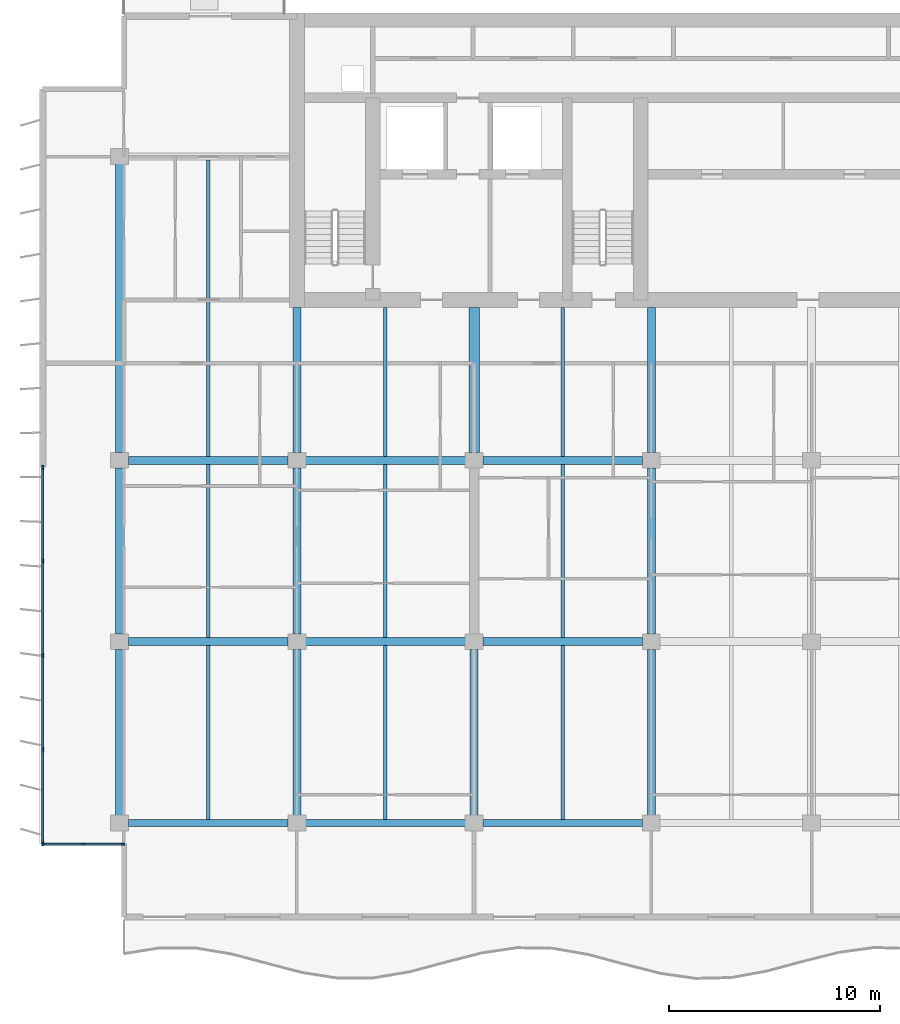
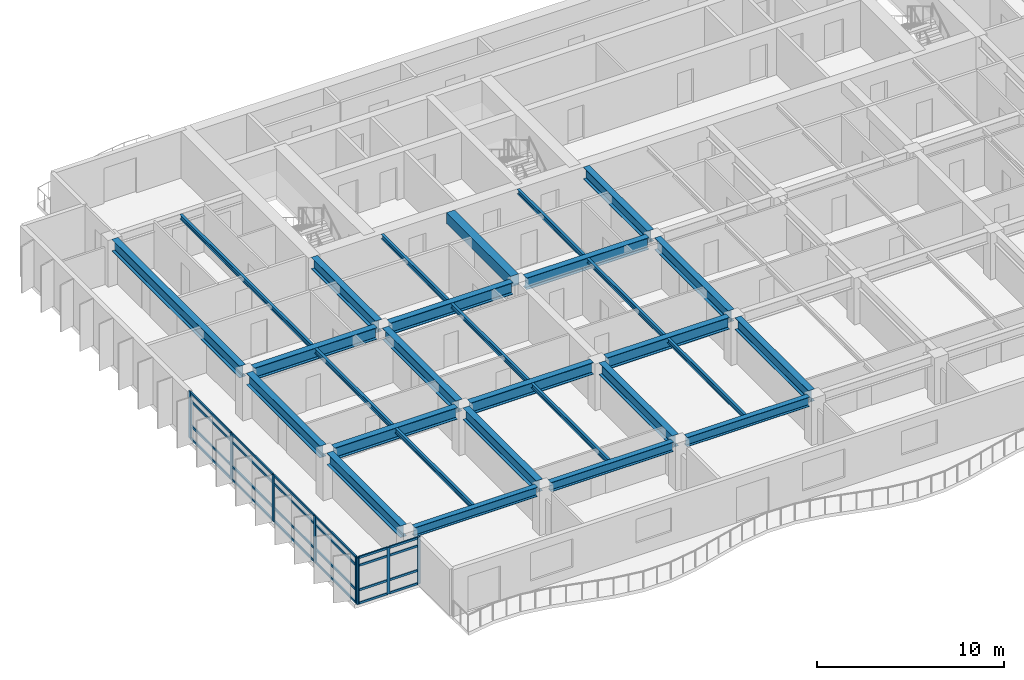
# One storey, part 2 of 16: 32 members, 29 beams, 2 elements without a shape of their own.
"""IFC4 building model written with IfcOpenShell, lengths in metres."""

from ifc_helpers import new_model, si_unit, direction, frame, origin, origin_2d, place, context, subcontext, project, spatial, rectangle, i_section, extrude, material, layer, layer_set, material_profile, profile_set, type_object, element, aggregate, save


model = new_model("IFC4")

# Units and contexts
model_context = context("Model", 3, precision=1e-05, world=origin(), true_north=direction((0.0, 1.0)))
body_context = subcontext(model_context, "Body", "Model", "MODEL_VIEW")
ifc_project = project(units=[si_unit("LENGTHUNIT", "METRE"), si_unit("AREAUNIT", "SQUARE_METRE"), si_unit("VOLUMEUNIT", "CUBIC_METRE"), si_unit("PLANEANGLEUNIT", "RADIAN"), si_unit("MASSUNIT", "GRAM", prefix="KILO")], contexts=[model_context])

# Site, building, storey
site_placement = place(None, origin())
site = spatial("IfcSite", under=ifc_project, at=site_placement, CompositionType="ELEMENT")
building_placement = place(site_placement, origin())
building = spatial("IfcBuilding", under=site, at=building_placement, Name="Caelmar Bay Residences", CompositionType="ELEMENT")
storey_placement = place(building_placement, frame((0.0, 0.0, 211.5)))
storey = spatial("IfcBuildingStorey", under=building, at=storey_placement, Name="L59", CompositionType="ELEMENT", Elevation=211.5)

# Beams
ifc_material_1 = material(Name="Steel ASTM A992 Grade 50", Category="steel")
ifc_material_profile_1 = material_profile(ifc_material_1, i_section(OverallWidth=0.381103515625, OverallDepth=0.77197265625, WebThickness=0.0166015625, FlangeThickness=0.027099609375, FilletRadius=0.0166015625, at=origin_2d()), Name="W30X173")
ifc_profile_set_1 = profile_set([ifc_material_profile_1], Name="Steel ASTM A992 Grade 50")
beam_type_1 = type_object("IfcBeamType", Name="BM-GRD-W30X173", PredefinedType="BEAM", material=ifc_profile_set_1)
beam_1_placement = place(storey_placement, frame((10.31494140625, 20.800048828125, 2.6640625), z_axis=(1.0, 0.0, 0.0), x_axis=(0.0, 1.0, 0.0)))
element("IfcBeam", 1, at=beam_1_placement, inside=storey, type_object=beam_type_1, Name="L59 East-West Girder Y=20.80 (9.9-18.3)", PredefinedType="BEAM", context=body_context, shape_type="SweptSolid", body=[
    extrude(i_section(OverallWidth=0.381103515625, OverallDepth=0.77197265625, WebThickness=0.0166015625, FlangeThickness=0.027099609375, FilletRadius=0.0166015625, at=origin_2d()), origin(), (0.0, 0.0, 1.0), 7.570068359375),
])
beam_2_placement = place(storey_placement, frame((18.715087890625, 20.800048828125, 2.6640625), z_axis=(1.0, 0.0, 0.0), x_axis=(0.0, 1.0, 0.0)))
element("IfcBeam", 2, at=beam_2_placement, inside=storey, type_object=beam_type_1, Name="L59 East-West Girder Y=20.80 (18.3-26.7)", PredefinedType="BEAM", context=body_context, shape_type="SweptSolid", body=[
    extrude(i_section(OverallWidth=0.381103515625, OverallDepth=0.77197265625, WebThickness=0.0166015625, FlangeThickness=0.027099609375, FilletRadius=0.0166015625, at=origin_2d()), origin(), (0.0, 0.0, 1.0), 7.56982421875),
])
for number, where, z_axis, x_axis, name in (
    (3, (27.114990234375, 20.800048828125, 2.6640625), (1.0, 0.0, 0.0), (0.0, 1.0, 0.0), "L59 East-West Girder Y=20.80 (26.7-35.1)"),
    (4, (10.31494140625, 29.39990234375, 2.6640625), (1.0, 0.0, 0.0), (0.0, 1.0, 0.0), "L59 East-West Girder Y=29.40 (9.9-18.3)"),
):
    element("IfcBeam", number, at=place(storey_placement, frame(where, z_axis=z_axis, x_axis=x_axis)), inside=storey, type_object=beam_type_1, Name=name, PredefinedType="BEAM", context=body_context, shape_type="SweptSolid", body=[
        extrude(i_section(OverallWidth=0.381103515625, OverallDepth=0.77197265625, WebThickness=0.0166015625, FlangeThickness=0.027099609375, FilletRadius=0.0166015625, at=origin_2d()), origin(), (0.0, 0.0, 1.0), 7.570068359375),
    ])
beam_3_placement = place(storey_placement, frame((18.715087890625, 29.39990234375, 2.6640625), z_axis=(1.0, 0.0, 0.0), x_axis=(0.0, 1.0, 0.0)))
element("IfcBeam", 5, at=beam_3_placement, inside=storey, type_object=beam_type_1, Name="L59 East-West Girder Y=29.40 (18.3-26.7)", PredefinedType="BEAM", context=body_context, shape_type="SweptSolid", body=[
    extrude(i_section(OverallWidth=0.381103515625, OverallDepth=0.77197265625, WebThickness=0.0166015625, FlangeThickness=0.027099609375, FilletRadius=0.0166015625, at=origin_2d()), origin(), (0.0, 0.0, 1.0), 7.56982421875),
])
beam_4_placement = place(storey_placement, frame((27.114990234375, 29.39990234375, 2.6640625), z_axis=(1.0, 0.0, 0.0), x_axis=(0.0, 1.0, 0.0)))
element("IfcBeam", 6, at=beam_4_placement, inside=storey, type_object=beam_type_1, Name="L59 East-West Girder Y=29.40 (26.7-35.1)", PredefinedType="BEAM", context=body_context, shape_type="SweptSolid", body=[
    extrude(i_section(OverallWidth=0.381103515625, OverallDepth=0.77197265625, WebThickness=0.0166015625, FlangeThickness=0.027099609375, FilletRadius=0.0166015625, at=origin_2d()), origin(), (0.0, 0.0, 1.0), 7.570068359375),
])
beam_5_placement = place(storey_placement, frame((9.89990234375, 12.56494140625, 2.6640625), z_axis=(0.0, 1.0, 0.0), x_axis=(-1.0, 0.0, 0.0)))
element("IfcBeam", 7, at=beam_5_placement, inside=storey, type_object=beam_type_1, Name="L59 North-South Girder X=9.90 (12.2-20.8)", PredefinedType="BEAM", context=body_context, shape_type="SweptSolid", body=[
    extrude(i_section(OverallWidth=0.381103515625, OverallDepth=0.77197265625, WebThickness=0.0166015625, FlangeThickness=0.027099609375, FilletRadius=0.0166015625, at=origin_2d()), origin(), (0.0, 0.0, 1.0), 7.8701171875),
])
beam_6_placement = place(storey_placement, frame((9.89990234375, 21.1650390625, 2.6640625), z_axis=(0.0, 1.0, 0.0), x_axis=(-1.0, 0.0, 0.0)))
element("IfcBeam", 8, at=beam_6_placement, inside=storey, type_object=beam_type_1, Name="L59 North-South Girder X=9.90 (20.8-29.4)", PredefinedType="BEAM", context=body_context, shape_type="SweptSolid", body=[
    extrude(i_section(OverallWidth=0.381103515625, OverallDepth=0.77197265625, WebThickness=0.0166015625, FlangeThickness=0.027099609375, FilletRadius=0.0166015625, at=origin_2d()), origin(), (0.0, 0.0, 1.0), 7.869873046875),
])
beam_7_placement = place(storey_placement, frame((9.89990234375, 29.764892578125, 2.6640625), z_axis=(0.0, 1.0, 0.0), x_axis=(-1.0, 0.0, 0.0)))
element("IfcBeam", 9, at=beam_7_placement, inside=storey, type_object=beam_type_1, Name="L59 North-South Girder X=9.90 (29.4-43.8)", PredefinedType="BEAM", context=body_context, shape_type="SweptSolid", body=[
    extrude(i_section(OverallWidth=0.381103515625, OverallDepth=0.77197265625, WebThickness=0.0166015625, FlangeThickness=0.027099609375, FilletRadius=0.0166015625, at=origin_2d()), origin(), (0.0, 0.0, 1.0), 13.670166015625),
])
beam_8_placement = place(storey_placement, frame((18.300048828125, 29.764892578125, 2.6640625), z_axis=(0.0, 1.0, 0.0), x_axis=(-1.0, 0.0, 0.0)))
element("IfcBeam", 10, at=beam_8_placement, inside=storey, type_object=beam_type_1, Name="L59 Core Tie Girder X=18.30", PredefinedType="BEAM", context=body_context, shape_type="SweptSolid", body=[
    extrude(i_section(OverallWidth=0.381103515625, OverallDepth=0.77197265625, WebThickness=0.0166015625, FlangeThickness=0.027099609375, FilletRadius=0.0166015625, at=origin_2d()), origin(), (0.0, 0.0, 1.0), 6.885009765625),
])
beam_9_placement = place(storey_placement, frame((18.300048828125, 12.56494140625, 2.6640625), z_axis=(0.0, 1.0, 0.0), x_axis=(-1.0, 0.0, 0.0)))
element("IfcBeam", 11, at=beam_9_placement, inside=storey, type_object=beam_type_1, Name="L59 North-South Girder X=18.30 (12.2-20.8)", PredefinedType="BEAM", context=body_context, shape_type="SweptSolid", body=[
    extrude(i_section(OverallWidth=0.381103515625, OverallDepth=0.77197265625, WebThickness=0.0166015625, FlangeThickness=0.027099609375, FilletRadius=0.0166015625, at=origin_2d()), origin(), (0.0, 0.0, 1.0), 7.8701171875),
])
beam_10_placement = place(storey_placement, frame((18.300048828125, 21.1650390625, 2.6640625), z_axis=(0.0, 1.0, 0.0), x_axis=(-1.0, 0.0, 0.0)))
element("IfcBeam", 12, at=beam_10_placement, inside=storey, type_object=beam_type_1, Name="L59 North-South Girder X=18.30 (20.8-29.4)", PredefinedType="BEAM", context=body_context, shape_type="SweptSolid", body=[
    extrude(i_section(OverallWidth=0.381103515625, OverallDepth=0.77197265625, WebThickness=0.0166015625, FlangeThickness=0.027099609375, FilletRadius=0.0166015625, at=origin_2d()), origin(), (0.0, 0.0, 1.0), 7.869873046875),
])
beam_11_placement = place(storey_placement, frame((26.699951171875, 12.56494140625, 2.6640625), z_axis=(0.0, 1.0, 0.0), x_axis=(-1.0, 0.0, 0.0)))
element("IfcBeam", 13, at=beam_11_placement, inside=storey, type_object=beam_type_1, Name="L59 North-South Girder X=26.70 (12.2-20.8)", PredefinedType="BEAM", context=body_context, shape_type="SweptSolid", body=[
    extrude(i_section(OverallWidth=0.381103515625, OverallDepth=0.77197265625, WebThickness=0.0166015625, FlangeThickness=0.027099609375, FilletRadius=0.0166015625, at=origin_2d()), origin(), (0.0, 0.0, 1.0), 7.8701171875),
])
beam_12_placement = place(storey_placement, frame((35.10009765625, 29.764892578125, 2.6640625), z_axis=(0.0, 1.0, 0.0), x_axis=(-1.0, 0.0, 0.0)))
element("IfcBeam", 14, at=beam_12_placement, inside=storey, type_object=beam_type_1, Name="L59 Core Tie Girder X=35.10", PredefinedType="BEAM", context=body_context, shape_type="SweptSolid", body=[
    extrude(i_section(OverallWidth=0.381103515625, OverallDepth=0.77197265625, WebThickness=0.0166015625, FlangeThickness=0.027099609375, FilletRadius=0.0166015625, at=origin_2d()), origin(), (0.0, 0.0, 1.0), 6.885009765625),
])
beam_13_placement = place(storey_placement, frame((35.10009765625, 12.56494140625, 2.6640625), z_axis=(0.0, 1.0, 0.0), x_axis=(-1.0, 0.0, 0.0)))
element("IfcBeam", 15, at=beam_13_placement, inside=storey, type_object=beam_type_1, Name="L59 North-South Girder X=35.10 (12.2-20.8)", PredefinedType="BEAM", context=body_context, shape_type="SweptSolid", body=[
    extrude(i_section(OverallWidth=0.381103515625, OverallDepth=0.77197265625, WebThickness=0.0166015625, FlangeThickness=0.027099609375, FilletRadius=0.0166015625, at=origin_2d()), origin(), (0.0, 0.0, 1.0), 7.8701171875),
])
beam_14_placement = place(storey_placement, frame((35.10009765625, 21.1650390625, 2.6640625), z_axis=(0.0, 1.0, 0.0), x_axis=(-1.0, 0.0, 0.0)))
element("IfcBeam", 16, at=beam_14_placement, inside=storey, type_object=beam_type_1, Name="L59 North-South Girder X=35.10 (20.8-29.4)", PredefinedType="BEAM", context=body_context, shape_type="SweptSolid", body=[
    extrude(i_section(OverallWidth=0.381103515625, OverallDepth=0.77197265625, WebThickness=0.0166015625, FlangeThickness=0.027099609375, FilletRadius=0.0166015625, at=origin_2d()), origin(), (0.0, 0.0, 1.0), 7.869873046875),
])
ifc_material_profile_2 = material_profile(ifc_material_1, i_section(OverallWidth=0.1650390625, OverallDepth=0.31005859375, WebThickness=0.005859375, FlangeThickness=0.009765625, FilletRadius=0.007568359375, at=origin_2d()), Name="W12X26")
ifc_profile_set_2 = profile_set([ifc_material_profile_2], Name="Steel ASTM A992 Grade 50")
beam_type_2 = type_object("IfcBeamType", Name="BM-JST-W12X26", PredefinedType="JOIST", material=ifc_profile_set_2)
for number, where, z_axis, x_axis, name in (
    (17, (14.10009765625, 12.362548828125, 2.89501953125), (0.0, 1.0, 0.0), (-1.0, 0.0, 0.0), "L59 Composite Floor Joist 1"),
    (18, (22.5, 12.362548828125, 2.89501953125), (0.0, 1.0, 0.0), (-1.0, 0.0, 0.0), "L59 Composite Floor Joist 2"),
    (19, (30.89990234375, 12.362548828125, 2.89501953125), (0.0, 1.0, 0.0), (-1.0, 0.0, 0.0), "L59 Composite Floor Joist 3"),
):
    element("IfcBeam", number, at=place(storey_placement, frame(where, z_axis=z_axis, x_axis=x_axis)), inside=storey, type_object=beam_type_2, Name=name, PredefinedType="JOIST", context=body_context, shape_type="SweptSolid", body=[
        extrude(i_section(OverallWidth=0.1650390625, OverallDepth=0.31005859375, WebThickness=0.005859375, FlangeThickness=0.009765625, FilletRadius=0.007568359375, at=origin_2d()), origin(), (0.0, 0.0, 1.0), 8.2470703125),
    ])
for number, where, z_axis, x_axis, name in (
    (20, (14.10009765625, 20.990478515625, 2.89501953125), (0.0, 1.0, 0.0), (-1.0, 0.0, 0.0), "L59 Composite Floor Joist 8"),
    (21, (22.5, 20.990478515625, 2.89501953125), (0.0, 1.0, 0.0), (-1.0, 0.0, 0.0), "L59 Composite Floor Joist 9"),
    (22, (30.89990234375, 20.990478515625, 2.89501953125), (0.0, 1.0, 0.0), (-1.0, 0.0, 0.0), "L59 Composite Floor Joist 10"),
):
    element("IfcBeam", number, at=place(storey_placement, frame(where, z_axis=z_axis, x_axis=x_axis)), inside=storey, type_object=beam_type_2, Name=name, PredefinedType="JOIST", context=body_context, shape_type="SweptSolid", body=[
        extrude(i_section(OverallWidth=0.1650390625, OverallDepth=0.31005859375, WebThickness=0.005859375, FlangeThickness=0.009765625, FilletRadius=0.007568359375, at=origin_2d()), origin(), (0.0, 0.0, 1.0), 8.218994140625),
    ])
for number, where, z_axis, x_axis, name in (
    (23, (22.5, 29.590576171875, 2.89501953125), (0.0, 1.0, 0.0), (-1.0, 0.0, 0.0), "L59 Core-Band Composite Joist 15"),
    (24, (30.89990234375, 29.590576171875, 2.89501953125), (0.0, 1.0, 0.0), (-1.0, 0.0, 0.0), "L59 Core-Band Composite Joist 16"),
):
    element("IfcBeam", number, at=place(storey_placement, frame(where, z_axis=z_axis, x_axis=x_axis)), inside=storey, type_object=beam_type_2, Name=name, PredefinedType="JOIST", context=body_context, shape_type="SweptSolid", body=[
        extrude(i_section(OverallWidth=0.1650390625, OverallDepth=0.31005859375, WebThickness=0.005859375, FlangeThickness=0.009765625, FilletRadius=0.007568359375, at=origin_2d()), origin(), (0.0, 0.0, 1.0), 7.059326171875),
    ])
beam_15_placement = place(storey_placement, frame((14.10009765625, 29.590576171875, 2.89501953125), z_axis=(0.0, 1.0, 0.0), x_axis=(-1.0, 0.0, 0.0)))
element("IfcBeam", 25, at=beam_15_placement, inside=storey, type_object=beam_type_2, Name="L59 Composite Floor Joist 20", PredefinedType="JOIST", context=body_context, shape_type="SweptSolid", body=[
    extrude(i_section(OverallWidth=0.1650390625, OverallDepth=0.31005859375, WebThickness=0.005859375, FlangeThickness=0.009765625, FilletRadius=0.007568359375, at=origin_2d()), origin(), (0.0, 0.0, 1.0), 14.046875),
])
ifc_material_2 = material(Name="Concrete f'c 55 MPa (8,000 psi)", Category="concrete")
ifc_material_profile_3 = material_profile(ifc_material_2, rectangle(XDim=0.5, YDim=0.699951171875, at=origin_2d()), Name="RC-BM-500X700")
ifc_profile_set_3 = profile_set([ifc_material_profile_3], Name="Concrete f'c 55 MPa (8,000 psi)")
beam_type_3 = type_object("IfcBeamType", Name="BM-RC-500X700", PredefinedType="LINTEL", material=ifc_profile_set_3)
beam_16_placement = place(storey_placement, frame((26.699951171875, 29.764892578125, 2.699951171875), z_axis=(0.0, 1.0, 0.0), x_axis=(-1.0, 0.0, 0.0)))
element("IfcBeam", 26, at=beam_16_placement, inside=storey, type_object=beam_type_3, Name="L59 Shear-Wall Corridor Coupling Lintel W5", PredefinedType="LINTEL", context=body_context, shape_type="SweptSolid", body=[
    extrude(rectangle(XDim=0.5, YDim=0.699951171875, at=origin_2d()), origin(), (0.0, 0.0, 1.0), 6.885009765625),
])
ifc_material_profile_4 = material_profile(ifc_material_1, i_section(OverallWidth=0.324951171875, OverallDepth=0.616943359375, WebThickness=0.013916015625, FlangeThickness=0.021484375, FilletRadius=0.0126953125, at=origin_2d()), Name="W24X117")
ifc_profile_set_4 = profile_set([ifc_material_profile_4], Name="Steel ASTM A992 Grade 50")
beam_type_4 = type_object("IfcBeamType", Name="BM-SPN-W24X117", PredefinedType="SPANDREL", material=ifc_profile_set_4)
beam_17_placement = place(storey_placement, frame((10.31494140625, 12.199951171875, 2.741455078125), z_axis=(1.0, 0.0, 0.0), x_axis=(0.0, 1.0, 0.0)))
element("IfcBeam", 27, at=beam_17_placement, inside=storey, type_object=beam_type_4, Name="L59 East-West Girder Y=12.20 (9.9-18.3)", PredefinedType="SPANDREL", context=body_context, shape_type="SweptSolid", body=[
    extrude(i_section(OverallWidth=0.324951171875, OverallDepth=0.616943359375, WebThickness=0.013916015625, FlangeThickness=0.021484375, FilletRadius=0.0126953125, at=origin_2d()), origin(), (0.0, 0.0, 1.0), 7.570068359375),
])
beam_18_placement = place(storey_placement, frame((18.715087890625, 12.199951171875, 2.741455078125), z_axis=(1.0, 0.0, 0.0), x_axis=(0.0, 1.0, 0.0)))
element("IfcBeam", 28, at=beam_18_placement, inside=storey, type_object=beam_type_4, Name="L59 East-West Girder Y=12.20 (18.3-26.7)", PredefinedType="SPANDREL", context=body_context, shape_type="SweptSolid", body=[
    extrude(i_section(OverallWidth=0.324951171875, OverallDepth=0.616943359375, WebThickness=0.013916015625, FlangeThickness=0.021484375, FilletRadius=0.0126953125, at=origin_2d()), origin(), (0.0, 0.0, 1.0), 7.56982421875),
])
beam_19_placement = place(storey_placement, frame((27.114990234375, 12.199951171875, 2.741455078125), z_axis=(1.0, 0.0, 0.0), x_axis=(0.0, 1.0, 0.0)))
element("IfcBeam", 29, at=beam_19_placement, inside=storey, type_object=beam_type_4, Name="L59 East-West Girder Y=12.20 (26.7-35.1)", PredefinedType="SPANDREL", context=body_context, shape_type="SweptSolid", body=[
    extrude(i_section(OverallWidth=0.324951171875, OverallDepth=0.616943359375, WebThickness=0.013916015625, FlangeThickness=0.021484375, FilletRadius=0.0126953125, at=origin_2d()), origin(), (0.0, 0.0, 1.0), 7.570068359375),
])

# Curtain wall, members
ifc_material_3 = material(Name="Anodised bronze aluminium 6063-T6 and laminated glass", Category="aluminium")
ifc_layer_1 = layer(ifc_material_3, 0.179931640625)
ifc_layer_set_1 = layer_set([ifc_layer_1], Name="Anodised bronze aluminium 6063-T6 and laminated glass")
curtain_wall_type_1 = type_object("IfcCurtainWallType", Name="CW6-NTC", PredefinedType="NOTDEFINED", material=ifc_layer_set_1)
curtain_wall_1_placement = place(storey_placement, origin())
curtain_wall_1 = element("IfcCurtainWall", 30, at=curtain_wall_1_placement, inside=storey, type_object=curtain_wall_type_1, Name="CW6 curtain wall L59", PredefinedType="NOTDEFINED")
ifc_material_4 = material(Name="Anodised bronze aluminium 6063-T6", Category="aluminium")
ifc_material_profile_5 = material_profile(ifc_material_4, rectangle(XDim=0.080078125, YDim=0.179931640625, at=origin_2d()), Name="CWM-80X180")
ifc_profile_set_5 = profile_set([ifc_material_profile_5], Name="Anodised bronze aluminium 6063-T6")
member_type_1 = type_object("IfcMemberType", Name="CWM-180", PredefinedType="MULLION", material=ifc_profile_set_5)
member_1_placement = place(storey_placement, frame((6.2900390625, 11.199951171875, 0.0), z_axis=(0.0, 0.0, 1.0), x_axis=(0.0, 1.0, 0.0)))
member_1 = element("IfcMember", 31, at=member_1_placement, type_object=member_type_1, Name="CW6 mullion 1", PredefinedType="MULLION", context=body_context, shape_type="SweptSolid", body=[
    extrude(rectangle(XDim=0.080078125, YDim=0.179931640625, at=origin_2d()), origin(), (0.0, 0.0, 1.0), 3.050048828125),
])
member_2_placement = place(storey_placement, frame((8.175048828125, 11.199951171875, 0.0), z_axis=(0.0, 0.0, 1.0), x_axis=(0.0, 1.0, 0.0)))
member_2 = element("IfcMember", 32, at=member_2_placement, type_object=member_type_1, Name="CW6 mullion 2", PredefinedType="MULLION", context=body_context, shape_type="SweptSolid", body=[
    extrude(rectangle(XDim=0.080078125, YDim=0.179931640625, at=origin_2d()), origin(), (0.0, 0.0, 1.0), 3.050048828125),
])
member_3_placement = place(storey_placement, frame((10.06005859375, 11.199951171875, 0.0), z_axis=(0.0, 0.0, 1.0), x_axis=(0.0, 1.0, 0.0)))
member_3 = element("IfcMember", 33, at=member_3_placement, type_object=member_type_1, Name="CW6 mullion 3", PredefinedType="MULLION", context=body_context, shape_type="SweptSolid", body=[
    extrude(rectangle(XDim=0.080078125, YDim=0.179931640625, at=origin_2d()), origin(), (0.0, 0.0, 1.0), 3.050048828125),
])

ifc_layer_2 = layer(ifc_material_3, 0.179931640625)
ifc_layer_set_2 = layer_set([ifc_layer_2], Name="Anodised bronze aluminium 6063-T6 and laminated glass")
curtain_wall_type_2 = type_object("IfcCurtainWallType", Name="CW4-Z3", PredefinedType="NOTDEFINED", material=ifc_layer_set_2)
curtain_wall_2_placement = place(storey_placement, origin())
curtain_wall_2 = element("IfcCurtainWall", 34, at=curtain_wall_2_placement, inside=storey, type_object=curtain_wall_type_2, Name="CW4 curtain wall L59", PredefinedType="NOTDEFINED")
ifc_material_profile_6 = material_profile(ifc_material_4, rectangle(XDim=0.080078125, YDim=0.219970703125, at=origin_2d()), Name="CWM-80X220")
ifc_profile_set_6 = profile_set([ifc_material_profile_6], Name="Anodised bronze aluminium 6063-T6")
member_type_2 = type_object("IfcMemberType", Name="CWM-220", PredefinedType="MULLION", material=ifc_profile_set_6)
member_4_placement = place(storey_placement, frame((6.25, 11.239990234375, 0.0), z_axis=(0.0, 0.0, 1.0), x_axis=(-1.0, 0.0, 0.0)))
member_4 = element("IfcMember", 35, at=member_4_placement, type_object=member_type_2, Name="CW4 mullion 1", PredefinedType="MULLION", context=body_context, shape_type="SweptSolid", body=[
    extrude(rectangle(XDim=0.080078125, YDim=0.219970703125, at=origin_2d()), origin(), (0.0, 0.0, 1.0), 3.050048828125),
])
member_5_placement = place(storey_placement, frame((6.25, 15.675048828125, 0.0), z_axis=(0.0, 0.0, 1.0), x_axis=(-1.0, 0.0, 0.0)))
member_5 = element("IfcMember", 36, at=member_5_placement, type_object=member_type_2, Name="CW4 mullion 2", PredefinedType="MULLION", context=body_context, shape_type="SweptSolid", body=[
    extrude(rectangle(XDim=0.080078125, YDim=0.219970703125, at=origin_2d()), origin(), (0.0, 0.0, 1.0), 3.050048828125),
])
member_6_placement = place(storey_placement, frame((6.25, 20.14990234375, 0.0), z_axis=(0.0, 0.0, 1.0), x_axis=(-1.0, 0.0, 0.0)))
member_6 = element("IfcMember", 37, at=member_6_placement, type_object=member_type_2, Name="CW4 mullion 3", PredefinedType="MULLION", context=body_context, shape_type="SweptSolid", body=[
    extrude(rectangle(XDim=0.080078125, YDim=0.219970703125, at=origin_2d()), origin(), (0.0, 0.0, 1.0), 3.050048828125),
])
member_7_placement = place(storey_placement, frame((6.25, 24.625, 0.0), z_axis=(0.0, 0.0, 1.0), x_axis=(-1.0, 0.0, 0.0)))
member_7 = element("IfcMember", 38, at=member_7_placement, type_object=member_type_2, Name="CW4 mullion 4", PredefinedType="MULLION", context=body_context, shape_type="SweptSolid", body=[
    extrude(rectangle(XDim=0.080078125, YDim=0.219970703125, at=origin_2d()), origin(), (0.0, 0.0, 1.0), 3.050048828125),
])
member_8_placement = place(storey_placement, frame((6.25, 29.06005859375, 0.0), z_axis=(0.0, 0.0, 1.0), x_axis=(-1.0, 0.0, 0.0)))
member_8 = element("IfcMember", 39, at=member_8_placement, type_object=member_type_2, Name="CW4 mullion 5", PredefinedType="MULLION", context=body_context, shape_type="SweptSolid", body=[
    extrude(rectangle(XDim=0.080078125, YDim=0.219970703125, at=origin_2d()), origin(), (0.0, 0.0, 1.0), 3.050048828125),
])

# Member
ifc_material_profile_7 = material_profile(ifc_material_4, rectangle(XDim=0.080078125, YDim=0.139892578125, at=origin_2d()), Name="CWT-80X140")
ifc_profile_set_7 = profile_set([ifc_material_profile_7], Name="Anodised bronze aluminium 6063-T6")
member_type_3 = type_object("IfcMemberType", Name="CWT-140", PredefinedType="NOTDEFINED", material=ifc_profile_set_7)
member_9_placement = place(storey_placement, frame((6.330078125, 11.199951171875, 0.0400390625), z_axis=(1.0, 0.0, 0.0), x_axis=(0.0, 1.0, 0.0)))
member_9 = element("IfcMember", 40, at=member_9_placement, type_object=member_type_3, Name="CW6 transom 1.1", ObjectType="TRANSOM", PredefinedType="USERDEFINED", context=body_context, shape_type="SweptSolid", body=[
    extrude(rectangle(XDim=0.080078125, YDim=0.139892578125, at=origin_2d()), origin(), (0.0, 0.0, 1.0), 1.804931640625),
])

member_10_placement = place(storey_placement, frame((6.330078125, 11.199951171875, 0.89990234375), z_axis=(1.0, 0.0, 0.0), x_axis=(0.0, 1.0, 0.0)))
member_10 = element("IfcMember", 41, at=member_10_placement, type_object=member_type_3, Name="CW6 transom 1.2", ObjectType="TRANSOM", PredefinedType="USERDEFINED", context=body_context, shape_type="SweptSolid", body=[
    extrude(rectangle(XDim=0.080078125, YDim=0.139892578125, at=origin_2d()), origin(), (0.0, 0.0, 1.0), 1.804931640625),
])

member_11_placement = place(storey_placement, frame((6.330078125, 11.199951171875, 2.5), z_axis=(1.0, 0.0, 0.0), x_axis=(0.0, 1.0, 0.0)))
member_11 = element("IfcMember", 42, at=member_11_placement, type_object=member_type_3, Name="CW6 transom 1.3", ObjectType="TRANSOM", PredefinedType="USERDEFINED", context=body_context, shape_type="SweptSolid", body=[
    extrude(rectangle(XDim=0.080078125, YDim=0.139892578125, at=origin_2d()), origin(), (0.0, 0.0, 1.0), 1.804931640625),
])

member_12_placement = place(storey_placement, frame((6.330078125, 11.199951171875, 3.010009765625), z_axis=(1.0, 0.0, 0.0), x_axis=(0.0, 1.0, 0.0)))
member_12 = element("IfcMember", 43, at=member_12_placement, type_object=member_type_3, Name="CW6 transom 1.4", ObjectType="TRANSOM", PredefinedType="USERDEFINED", context=body_context, shape_type="SweptSolid", body=[
    extrude(rectangle(XDim=0.080078125, YDim=0.139892578125, at=origin_2d()), origin(), (0.0, 0.0, 1.0), 1.804931640625),
])

member_13_placement = place(storey_placement, frame((8.215087890625, 11.199951171875, 0.0400390625), z_axis=(1.0, 0.0, 0.0), x_axis=(0.0, 1.0, 0.0)))
member_13 = element("IfcMember", 44, at=member_13_placement, type_object=member_type_3, Name="CW6 transom 2.1", ObjectType="TRANSOM", PredefinedType="USERDEFINED", context=body_context, shape_type="SweptSolid", body=[
    extrude(rectangle(XDim=0.080078125, YDim=0.139892578125, at=origin_2d()), origin(), (0.0, 0.0, 1.0), 1.804931640625),
])

member_14_placement = place(storey_placement, frame((8.215087890625, 11.199951171875, 0.89990234375), z_axis=(1.0, 0.0, 0.0), x_axis=(0.0, 1.0, 0.0)))
member_14 = element("IfcMember", 45, at=member_14_placement, type_object=member_type_3, Name="CW6 transom 2.2", ObjectType="TRANSOM", PredefinedType="USERDEFINED", context=body_context, shape_type="SweptSolid", body=[
    extrude(rectangle(XDim=0.080078125, YDim=0.139892578125, at=origin_2d()), origin(), (0.0, 0.0, 1.0), 1.804931640625),
])

member_15_placement = place(storey_placement, frame((8.215087890625, 11.199951171875, 2.5), z_axis=(1.0, 0.0, 0.0), x_axis=(0.0, 1.0, 0.0)))
member_15 = element("IfcMember", 46, at=member_15_placement, type_object=member_type_3, Name="CW6 transom 2.3", ObjectType="TRANSOM", PredefinedType="USERDEFINED", context=body_context, shape_type="SweptSolid", body=[
    extrude(rectangle(XDim=0.080078125, YDim=0.139892578125, at=origin_2d()), origin(), (0.0, 0.0, 1.0), 1.804931640625),
])

member_16_placement = place(storey_placement, frame((8.215087890625, 11.199951171875, 3.010009765625), z_axis=(1.0, 0.0, 0.0), x_axis=(0.0, 1.0, 0.0)))
member_16 = element("IfcMember", 47, at=member_16_placement, type_object=member_type_3, Name="CW6 transom 2.4", ObjectType="TRANSOM", PredefinedType="USERDEFINED", context=body_context, shape_type="SweptSolid", body=[
    extrude(rectangle(XDim=0.080078125, YDim=0.139892578125, at=origin_2d()), origin(), (0.0, 0.0, 1.0), 1.804931640625),
])

aggregate(curtain_wall_1, [member_1, member_2, member_3, member_9, member_10, member_11, member_12, member_13, member_14, member_15, member_16])

member_17_placement = place(storey_placement, frame((6.25, 11.280029296875, 0.0400390625), z_axis=(0.0, 1.0, 0.0), x_axis=(-1.0, 0.0, 0.0)))
member_17 = element("IfcMember", 48, at=member_17_placement, type_object=member_type_3, Name="CW4 transom 1.1", ObjectType="TRANSOM", PredefinedType="USERDEFINED", context=body_context, shape_type="SweptSolid", body=[
    extrude(rectangle(XDim=0.080078125, YDim=0.139892578125, at=origin_2d()), origin(), (0.0, 0.0, 1.0), 4.35498046875),
])

member_18_placement = place(storey_placement, frame((6.25, 11.280029296875, 0.89990234375), z_axis=(0.0, 1.0, 0.0), x_axis=(-1.0, 0.0, 0.0)))
member_18 = element("IfcMember", 49, at=member_18_placement, type_object=member_type_3, Name="CW4 transom 1.2", ObjectType="TRANSOM", PredefinedType="USERDEFINED", context=body_context, shape_type="SweptSolid", body=[
    extrude(rectangle(XDim=0.080078125, YDim=0.139892578125, at=origin_2d()), origin(), (0.0, 0.0, 1.0), 4.35498046875),
])

member_19_placement = place(storey_placement, frame((6.25, 11.280029296875, 2.5), z_axis=(0.0, 1.0, 0.0), x_axis=(-1.0, 0.0, 0.0)))
member_19 = element("IfcMember", 50, at=member_19_placement, type_object=member_type_3, Name="CW4 transom 1.3", ObjectType="TRANSOM", PredefinedType="USERDEFINED", context=body_context, shape_type="SweptSolid", body=[
    extrude(rectangle(XDim=0.080078125, YDim=0.139892578125, at=origin_2d()), origin(), (0.0, 0.0, 1.0), 4.35498046875),
])

member_20_placement = place(storey_placement, frame((6.25, 11.280029296875, 3.010009765625), z_axis=(0.0, 1.0, 0.0), x_axis=(-1.0, 0.0, 0.0)))
member_20 = element("IfcMember", 51, at=member_20_placement, type_object=member_type_3, Name="CW4 transom 1.4", ObjectType="TRANSOM", PredefinedType="USERDEFINED", context=body_context, shape_type="SweptSolid", body=[
    extrude(rectangle(XDim=0.080078125, YDim=0.139892578125, at=origin_2d()), origin(), (0.0, 0.0, 1.0), 4.35498046875),
])

member_21_placement = place(storey_placement, frame((6.25, 15.715087890625, 0.0400390625), z_axis=(0.0, 1.0, 0.0), x_axis=(-1.0, 0.0, 0.0)))
member_21 = element("IfcMember", 52, at=member_21_placement, type_object=member_type_3, Name="CW4 transom 2.1", ObjectType="TRANSOM", PredefinedType="USERDEFINED", context=body_context, shape_type="SweptSolid", body=[
    extrude(rectangle(XDim=0.080078125, YDim=0.139892578125, at=origin_2d()), origin(), (0.0, 0.0, 1.0), 4.39501953125),
])

member_22_placement = place(storey_placement, frame((6.25, 15.715087890625, 0.89990234375), z_axis=(0.0, 1.0, 0.0), x_axis=(-1.0, 0.0, 0.0)))
member_22 = element("IfcMember", 53, at=member_22_placement, type_object=member_type_3, Name="CW4 transom 2.2", ObjectType="TRANSOM", PredefinedType="USERDEFINED", context=body_context, shape_type="SweptSolid", body=[
    extrude(rectangle(XDim=0.080078125, YDim=0.139892578125, at=origin_2d()), origin(), (0.0, 0.0, 1.0), 4.39501953125),
])

member_23_placement = place(storey_placement, frame((6.25, 15.715087890625, 2.5), z_axis=(0.0, 1.0, 0.0), x_axis=(-1.0, 0.0, 0.0)))
member_23 = element("IfcMember", 54, at=member_23_placement, type_object=member_type_3, Name="CW4 transom 2.3", ObjectType="TRANSOM", PredefinedType="USERDEFINED", context=body_context, shape_type="SweptSolid", body=[
    extrude(rectangle(XDim=0.080078125, YDim=0.139892578125, at=origin_2d()), origin(), (0.0, 0.0, 1.0), 4.39501953125),
])

member_24_placement = place(storey_placement, frame((6.25, 15.715087890625, 3.010009765625), z_axis=(0.0, 1.0, 0.0), x_axis=(-1.0, 0.0, 0.0)))
member_24 = element("IfcMember", 55, at=member_24_placement, type_object=member_type_3, Name="CW4 transom 2.4", ObjectType="TRANSOM", PredefinedType="USERDEFINED", context=body_context, shape_type="SweptSolid", body=[
    extrude(rectangle(XDim=0.080078125, YDim=0.139892578125, at=origin_2d()), origin(), (0.0, 0.0, 1.0), 4.39501953125),
])

member_25_placement = place(storey_placement, frame((6.25, 20.18994140625, 0.0400390625), z_axis=(0.0, 1.0, 0.0), x_axis=(-1.0, 0.0, 0.0)))
member_25 = element("IfcMember", 56, at=member_25_placement, type_object=member_type_3, Name="CW4 transom 3.1", ObjectType="TRANSOM", PredefinedType="USERDEFINED", context=body_context, shape_type="SweptSolid", body=[
    extrude(rectangle(XDim=0.080078125, YDim=0.139892578125, at=origin_2d()), origin(), (0.0, 0.0, 1.0), 4.39501953125),
])

member_26_placement = place(storey_placement, frame((6.25, 20.18994140625, 0.89990234375), z_axis=(0.0, 1.0, 0.0), x_axis=(-1.0, 0.0, 0.0)))
member_26 = element("IfcMember", 57, at=member_26_placement, type_object=member_type_3, Name="CW4 transom 3.2", ObjectType="TRANSOM", PredefinedType="USERDEFINED", context=body_context, shape_type="SweptSolid", body=[
    extrude(rectangle(XDim=0.080078125, YDim=0.139892578125, at=origin_2d()), origin(), (0.0, 0.0, 1.0), 4.39501953125),
])

member_27_placement = place(storey_placement, frame((6.25, 20.18994140625, 2.5), z_axis=(0.0, 1.0, 0.0), x_axis=(-1.0, 0.0, 0.0)))
member_27 = element("IfcMember", 58, at=member_27_placement, type_object=member_type_3, Name="CW4 transom 3.3", ObjectType="TRANSOM", PredefinedType="USERDEFINED", context=body_context, shape_type="SweptSolid", body=[
    extrude(rectangle(XDim=0.080078125, YDim=0.139892578125, at=origin_2d()), origin(), (0.0, 0.0, 1.0), 4.39501953125),
])

member_28_placement = place(storey_placement, frame((6.25, 20.18994140625, 3.010009765625), z_axis=(0.0, 1.0, 0.0), x_axis=(-1.0, 0.0, 0.0)))
member_28 = element("IfcMember", 59, at=member_28_placement, type_object=member_type_3, Name="CW4 transom 3.4", ObjectType="TRANSOM", PredefinedType="USERDEFINED", context=body_context, shape_type="SweptSolid", body=[
    extrude(rectangle(XDim=0.080078125, YDim=0.139892578125, at=origin_2d()), origin(), (0.0, 0.0, 1.0), 4.39501953125),
])

member_29_placement = place(storey_placement, frame((6.25, 24.6650390625, 0.0400390625), z_axis=(0.0, 1.0, 0.0), x_axis=(-1.0, 0.0, 0.0)))
member_29 = element("IfcMember", 60, at=member_29_placement, type_object=member_type_3, Name="CW4 transom 4.1", ObjectType="TRANSOM", PredefinedType="USERDEFINED", context=body_context, shape_type="SweptSolid", body=[
    extrude(rectangle(XDim=0.080078125, YDim=0.139892578125, at=origin_2d()), origin(), (0.0, 0.0, 1.0), 4.35498046875),
])

member_30_placement = place(storey_placement, frame((6.25, 24.6650390625, 0.89990234375), z_axis=(0.0, 1.0, 0.0), x_axis=(-1.0, 0.0, 0.0)))
member_30 = element("IfcMember", 61, at=member_30_placement, type_object=member_type_3, Name="CW4 transom 4.2", ObjectType="TRANSOM", PredefinedType="USERDEFINED", context=body_context, shape_type="SweptSolid", body=[
    extrude(rectangle(XDim=0.080078125, YDim=0.139892578125, at=origin_2d()), origin(), (0.0, 0.0, 1.0), 4.35498046875),
])

member_31_placement = place(storey_placement, frame((6.25, 24.6650390625, 2.5), z_axis=(0.0, 1.0, 0.0), x_axis=(-1.0, 0.0, 0.0)))
member_31 = element("IfcMember", 62, at=member_31_placement, type_object=member_type_3, Name="CW4 transom 4.3", ObjectType="TRANSOM", PredefinedType="USERDEFINED", context=body_context, shape_type="SweptSolid", body=[
    extrude(rectangle(XDim=0.080078125, YDim=0.139892578125, at=origin_2d()), origin(), (0.0, 0.0, 1.0), 4.35498046875),
])

member_32_placement = place(storey_placement, frame((6.25, 24.6650390625, 3.010009765625), z_axis=(0.0, 1.0, 0.0), x_axis=(-1.0, 0.0, 0.0)))
member_32 = element("IfcMember", 63, at=member_32_placement, type_object=member_type_3, Name="CW4 transom 4.4", ObjectType="TRANSOM", PredefinedType="USERDEFINED", context=body_context, shape_type="SweptSolid", body=[
    extrude(rectangle(XDim=0.080078125, YDim=0.139892578125, at=origin_2d()), origin(), (0.0, 0.0, 1.0), 4.35498046875),
])

aggregate(curtain_wall_2, [member_4, member_5, member_6, member_7, member_8, member_17, member_18, member_19, member_20, member_21, member_22, member_23, member_24, member_25, member_26, member_27, member_28, member_29, member_30, member_31, member_32])

save(model, "model.ifc")
